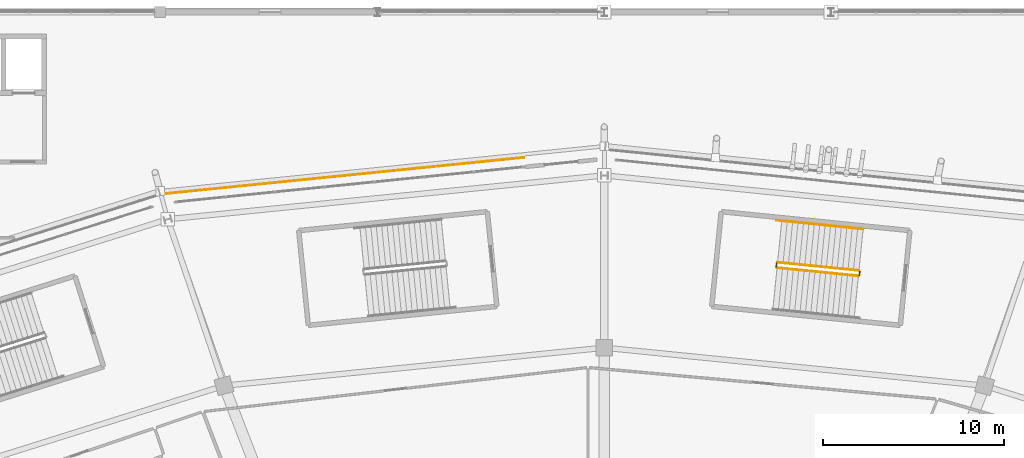
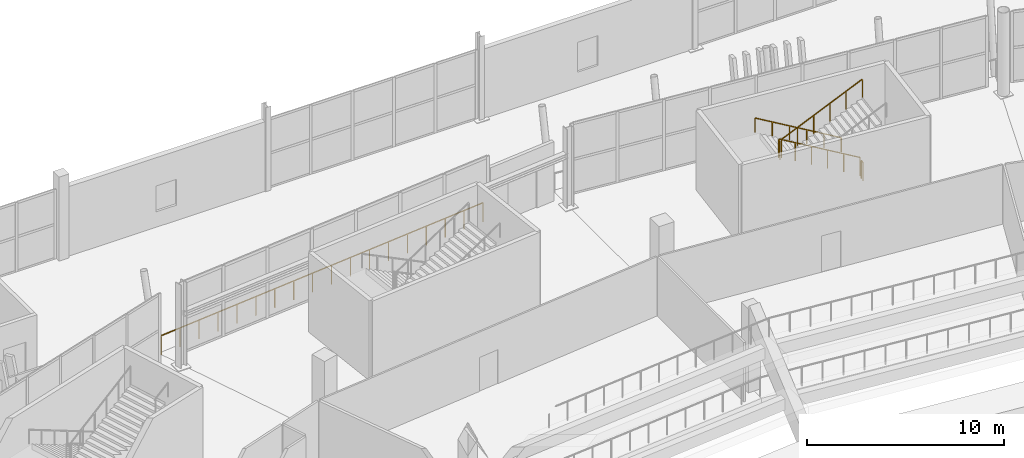
# One storey, part 175 of 178: 6 railings.
"""IFC4 building model written with IfcOpenShell, lengths in metres."""

from ifc_helpers import new_model, si_unit, direction, frame, origin, origin_2d, place, context, subcontext, project, spatial, rectangle, extrude, material, type_object, element, save


model = new_model("IFC4")

# Units and contexts
model_context = context("Model", 3, precision=1e-05, world=origin(), true_north=direction((0.0, 1.0)))
body_context = subcontext(model_context, "Body", "Model", "MODEL_VIEW")
ifc_project = project(units=[si_unit("LENGTHUNIT", "METRE"), si_unit("AREAUNIT", "SQUARE_METRE"), si_unit("VOLUMEUNIT", "CUBIC_METRE"), si_unit("PLANEANGLEUNIT", "RADIAN"), si_unit("MASSUNIT", "GRAM", prefix="KILO")], contexts=[model_context])

# Site, building, storey
site_placement = place(None, origin())
site = spatial("IfcSite", under=ifc_project, at=site_placement, CompositionType="ELEMENT")
building_placement = place(site_placement, origin())
building = spatial("IfcBuilding", under=site, at=building_placement, Name="Zlatoyarsky Gate Stadium", CompositionType="ELEMENT")
storey_placement = place(building_placement, frame((0.0, 0.0, 5.39990234375)))
storey = spatial("IfcBuildingStorey", under=building, at=storey_placement, Name="L01", CompositionType="ELEMENT", Elevation=5.39990234375)

# Railings
ifc_material_1 = material(Name="Powder-coated steel tubular guardrail", Category="steel")
railing_type_1 = type_object("IfcRailingType", Name="CONCOURSE SLAB EDGE GUARDRAIL 1200", PredefinedType="GUARDRAIL", material=ifc_material_1)
railing_1_placement = place(storey_placement, frame((106.572509765625, 151.9814453125, 0.0)))
element("IfcRailing", 1, at=railing_1_placement, inside=storey, type_object=railing_type_1, Name="L01 outer slab edge guardrail 06", PredefinedType="GUARDRAIL", context=body_context, shape_type="SweptSolid", body=[
    extrude(rectangle(XDim=0.048095703125, YDim=0.048095703125, at=origin_2d()), frame((0.0, 0.0, 1.17578125), z_axis=(-0.994940706769, -0.100463874174, 0.0), x_axis=(0.100463874174, -0.994940706769, 0.0)), (0.0, 0.0, 1.0), 20.1142578125),
    extrude(rectangle(XDim=0.0419921875, YDim=0.0419921875, at=origin_2d()), origin(), (0.0, 0.0, 1.0), 1.15185546875),
    extrude(rectangle(XDim=0.0419921875, YDim=0.0419921875, at=origin_2d()), frame((-1.17724609375, -0.118896484375, 0.0)), (0.0, 0.0, 1.0), 1.15185546875),
    extrude(rectangle(XDim=0.0419921875, YDim=0.0419921875, at=origin_2d()), frame((-2.3544921875, -0.23779296875, 0.0)), (0.0, 0.0, 1.0), 1.15185546875),
    extrude(rectangle(XDim=0.0419921875, YDim=0.0419921875, at=origin_2d()), frame((-3.531494140625, -0.356689453125, 0.0)), (0.0, 0.0, 1.0), 1.15185546875),
    extrude(rectangle(XDim=0.0419921875, YDim=0.0419921875, at=origin_2d()), frame((-4.708740234375, -0.4755859375, 0.0)), (0.0, 0.0, 1.0), 1.15185546875),
    extrude(rectangle(XDim=0.0419921875, YDim=0.0419921875, at=origin_2d()), frame((-5.885986328125, -0.59423828125, 0.0)), (0.0, 0.0, 1.0), 1.15185546875),
    extrude(rectangle(XDim=0.0419921875, YDim=0.0419921875, at=origin_2d()), frame((-7.063232421875, -0.713134765625, 0.0)), (0.0, 0.0, 1.0), 1.15185546875),
    extrude(rectangle(XDim=0.0419921875, YDim=0.0419921875, at=origin_2d()), frame((-8.240478515625, -0.83203125, 0.0)), (0.0, 0.0, 1.0), 1.15185546875),
    extrude(rectangle(XDim=0.0419921875, YDim=0.0419921875, at=origin_2d()), frame((-9.417724609375, -0.950927734375, 0.0)), (0.0, 0.0, 1.0), 1.15185546875),
    extrude(rectangle(XDim=0.0419921875, YDim=0.0419921875, at=origin_2d()), frame((-10.5947265625, -1.06982421875, 0.0)), (0.0, 0.0, 1.0), 1.15185546875),
    extrude(rectangle(XDim=0.0419921875, YDim=0.0419921875, at=origin_2d()), frame((-11.77197265625, -1.188720703125, 0.0)), (0.0, 0.0, 1.0), 1.15185546875),
    extrude(rectangle(XDim=0.0419921875, YDim=0.0419921875, at=origin_2d()), frame((-12.94921875, -1.3076171875, 0.0)), (0.0, 0.0, 1.0), 1.15185546875),
    extrude(rectangle(XDim=0.0419921875, YDim=0.0419921875, at=origin_2d()), frame((-14.12646484375, -1.426513671875, 0.0)), (0.0, 0.0, 1.0), 1.15185546875),
    extrude(rectangle(XDim=0.0419921875, YDim=0.0419921875, at=origin_2d()), frame((-15.3037109375, -1.545166015625, 0.0)), (0.0, 0.0, 1.0), 1.15185546875),
    extrude(rectangle(XDim=0.0419921875, YDim=0.0419921875, at=origin_2d()), frame((-16.48095703125, -1.6640625, 0.0)), (0.0, 0.0, 1.0), 1.15185546875),
    extrude(rectangle(XDim=0.0419921875, YDim=0.0419921875, at=origin_2d()), frame((-17.657958984375, -1.782958984375, 0.0)), (0.0, 0.0, 1.0), 1.15185546875),
    extrude(rectangle(XDim=0.0419921875, YDim=0.0419921875, at=origin_2d()), frame((-18.835205078125, -1.90185546875, 0.0)), (0.0, 0.0, 1.0), 1.15185546875),
    extrude(rectangle(XDim=0.0419921875, YDim=0.0419921875, at=origin_2d()), frame((-20.012451171875, -2.020751953125, 0.0)), (0.0, 0.0, 1.0), 1.15185546875),
])
ifc_material_2 = material(Name="Powder-coated steel stair guardrail", Category="steel")
railing_type_2 = type_object("IfcRailingType", Name="PAINTED STEEL STAIR WELL GUARDRAIL 1150", PredefinedType="GUARDRAIL", material=ifc_material_2)
railing_2_placement = place(storey_placement, frame((125.03466796875, 145.752685546875, 0.16259765625)))
element("IfcRailing", 2, at=railing_2_placement, inside=storey, type_object=railing_type_2, Name="ST-17 L01 stair guard 1", PredefinedType="GUARDRAIL", context=body_context, shape_type="SweptSolid", body=[
    extrude(rectangle(XDim=0.048095703125, YDim=0.048095703125, at=origin_2d()), frame((0.0, 0.0, 1.1259765625), z_axis=(-0.874889575762, 0.087918292701, 0.47627576469), x_axis=(-0.099987144365, -0.994988729063, 0.0)), (0.0, 0.0, 1.0), 5.117919921875),
    extrude(rectangle(XDim=0.0419921875, YDim=0.0419921875, at=origin_2d()), origin(), (0.0, 0.0, 1.0), 1.101806640625),
    extrude(rectangle(XDim=0.0419921875, YDim=0.0419921875, at=origin_2d()), frame((-0.8955078125, 0.090087890625, 0.487548828125)), (0.0, 0.0, 1.0), 1.101806640625),
    extrude(rectangle(XDim=0.0419921875, YDim=0.0419921875, at=origin_2d()), frame((-1.791015625, 0.179931640625, 0.97509765625)), (0.0, 0.0, 1.0), 1.101806640625),
    extrude(rectangle(XDim=0.0419921875, YDim=0.0419921875, at=origin_2d()), frame((-2.6865234375, 0.27001953125, 1.46240234375)), (0.0, 0.0, 1.0), 1.101806640625),
    extrude(rectangle(XDim=0.0419921875, YDim=0.0419921875, at=origin_2d()), frame((-3.58203125, 0.35986328125, 1.949951171875)), (0.0, 0.0, 1.0), 1.101806640625),
    extrude(rectangle(XDim=0.0419921875, YDim=0.0419921875, at=origin_2d()), frame((-4.4775390625, 0.449951171875, 2.4375)), (0.0, 0.0, 1.0), 1.101806640625),
])
railing_3_placement = place(storey_placement, frame((120.50244140625, 146.157958984375, 2.60009765625)))
element("IfcRailing", 3, at=railing_3_placement, inside=storey, type_object=railing_type_2, Name="ST-17 L01 stair guard 2", PredefinedType="GUARDRAIL", context=body_context, shape_type="SweptSolid", body=[
    extrude(rectangle(XDim=0.048095703125, YDim=0.048095703125, at=origin_2d()), frame((0.0, 0.0, 1.1259765625), z_axis=(-0.100108072026, -0.994976569531, 0.0), x_axis=(0.994976569531, -0.100108072026, 0.0)), (0.0, 0.0, 1.0), 0.199951171875),
    extrude(rectangle(XDim=0.0419921875, YDim=0.0419921875, at=origin_2d()), origin(), (0.0, 0.0, 1.0), 1.101806640625),
    extrude(rectangle(XDim=0.0419921875, YDim=0.0419921875, at=origin_2d()), frame((-0.02001953125, -0.198974609375, 0.0)), (0.0, 0.0, 1.0), 1.101806640625),
])
railing_4_placement = place(storey_placement, frame((120.527099609375, 145.904052734375, 2.7626953125)))
element("IfcRailing", 4, at=railing_4_placement, inside=storey, type_object=railing_type_2, Name="ST-17 L01 stair guard 3", PredefinedType="GUARDRAIL", context=body_context, shape_type="SweptSolid", body=[
    extrude(rectangle(XDim=0.048095703125, YDim=0.048095703125, at=origin_2d()), frame((0.0, 0.0, 1.1259765625), z_axis=(0.874889575762, -0.087918292701, 0.47627576469), x_axis=(0.099987144365, 0.994988729063, 0.0)), (0.0, 0.0, 1.0), 5.117919921875),
    extrude(rectangle(XDim=0.0419921875, YDim=0.0419921875, at=origin_2d()), origin(), (0.0, 0.0, 1.0), 1.101806640625),
    extrude(rectangle(XDim=0.0419921875, YDim=0.0419921875, at=origin_2d()), frame((0.8955078125, -0.090087890625, 0.487548828125)), (0.0, 0.0, 1.0), 1.101806640625),
    extrude(rectangle(XDim=0.0419921875, YDim=0.0419921875, at=origin_2d()), frame((1.791015625, -0.179931640625, 0.97509765625)), (0.0, 0.0, 1.0), 1.101806640625),
    extrude(rectangle(XDim=0.0419921875, YDim=0.0419921875, at=origin_2d()), frame((2.6865234375, -0.27001953125, 1.46240234375)), (0.0, 0.0, 1.0), 1.101806640625),
    extrude(rectangle(XDim=0.0419921875, YDim=0.0419921875, at=origin_2d()), frame((3.58203125, -0.35986328125, 1.949951171875)), (0.0, 0.0, 1.0), 1.101806640625),
    extrude(rectangle(XDim=0.0419921875, YDim=0.0419921875, at=origin_2d()), frame((4.4775390625, -0.449951171875, 2.4375)), (0.0, 0.0, 1.0), 1.101806640625),
])
railing_5_placement = place(storey_placement, frame((125.079345703125, 145.69775390625, 0.0)))
element("IfcRailing", 5, at=railing_5_placement, inside=storey, type_object=railing_type_2, Name="ST-17 L01 stair guard 4", PredefinedType="GUARDRAIL", context=body_context, shape_type="SweptSolid", body=[
    extrude(rectangle(XDim=0.048095703125, YDim=0.048095703125, at=origin_2d()), frame((0.0, 0.0, 1.1259765625), z_axis=(-0.100108072026, -0.994976569531, 0.0), x_axis=(0.994976569531, -0.100108072026, 0.0)), (0.0, 0.0, 1.0), 0.199951171875),
    extrude(rectangle(XDim=0.0419921875, YDim=0.0419921875, at=origin_2d()), origin(), (0.0, 0.0, 1.0), 1.101806640625),
    extrude(rectangle(XDim=0.0419921875, YDim=0.0419921875, at=origin_2d()), frame((-0.02001953125, -0.198974609375, 0.0)), (0.0, 0.0, 1.0), 1.101806640625),
])
ifc_material_3 = material(Name="Brushed stainless steel 316 handrail", Category="steel")
railing_type_3 = type_object("IfcRailingType", Name="STAINLESS STEEL TUBULAR HANDRAIL 900", PredefinedType="HANDRAIL", material=ifc_material_3)
railing_6_placement = place(storey_placement, frame((125.2646484375, 148.041015625, 0.16650390625)))
element("IfcRailing", 6, at=railing_6_placement, inside=storey, type_object=railing_type_3, Name="ST-17 L01 stair handrail 1", PredefinedType="HANDRAIL", context=body_context, shape_type="SweptSolid", body=[
    extrude(rectangle(XDim=0.048095703125, YDim=0.048095703125, at=origin_2d()), frame((0.0, 0.0, 0.8759765625), z_axis=(-0.874885159844, 0.087922313769, 0.476283134097), x_axis=(-0.099992171352, -0.994988223884, 0.0)), (0.0, 0.0, 1.0), 5.459228515625),
    extrude(rectangle(XDim=0.0419921875, YDim=0.0419921875, at=origin_2d()), origin(), (0.0, 0.0, 1.0), 0.851806640625),
    extrude(rectangle(XDim=0.0419921875, YDim=0.0419921875, at=origin_2d()), frame((-0.955322265625, 0.095947265625, 0.52001953125)), (0.0, 0.0, 1.0), 0.851806640625),
    extrude(rectangle(XDim=0.0419921875, YDim=0.0419921875, at=origin_2d()), frame((-1.910400390625, 0.19189453125, 1.0400390625)), (0.0, 0.0, 1.0), 0.851806640625),
    extrude(rectangle(XDim=0.0419921875, YDim=0.0419921875, at=origin_2d()), frame((-2.86572265625, 0.2880859375, 1.56005859375)), (0.0, 0.0, 1.0), 0.851806640625),
    extrude(rectangle(XDim=0.0419921875, YDim=0.0419921875, at=origin_2d()), frame((-3.82080078125, 0.384033203125, 2.080078125)), (0.0, 0.0, 1.0), 0.851806640625),
    extrude(rectangle(XDim=0.0419921875, YDim=0.0419921875, at=origin_2d()), frame((-4.776123046875, 0.47998046875, 2.60009765625)), (0.0, 0.0, 1.0), 0.851806640625),
])

save(model, "model.ifc")
